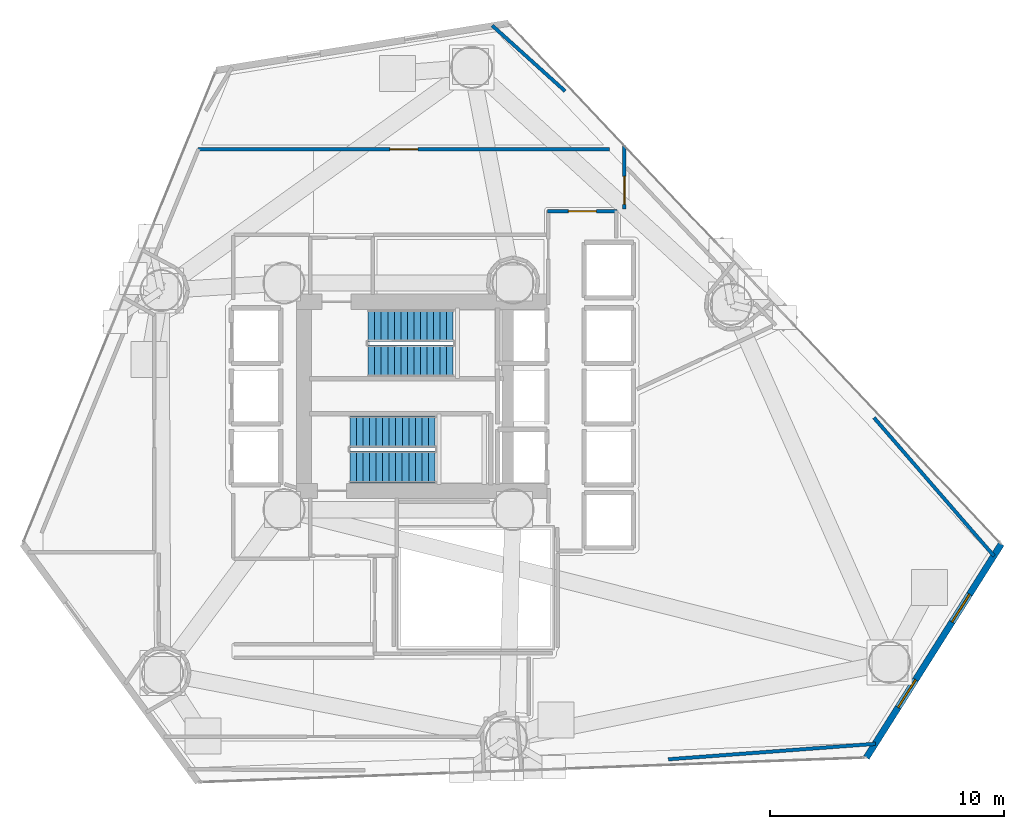
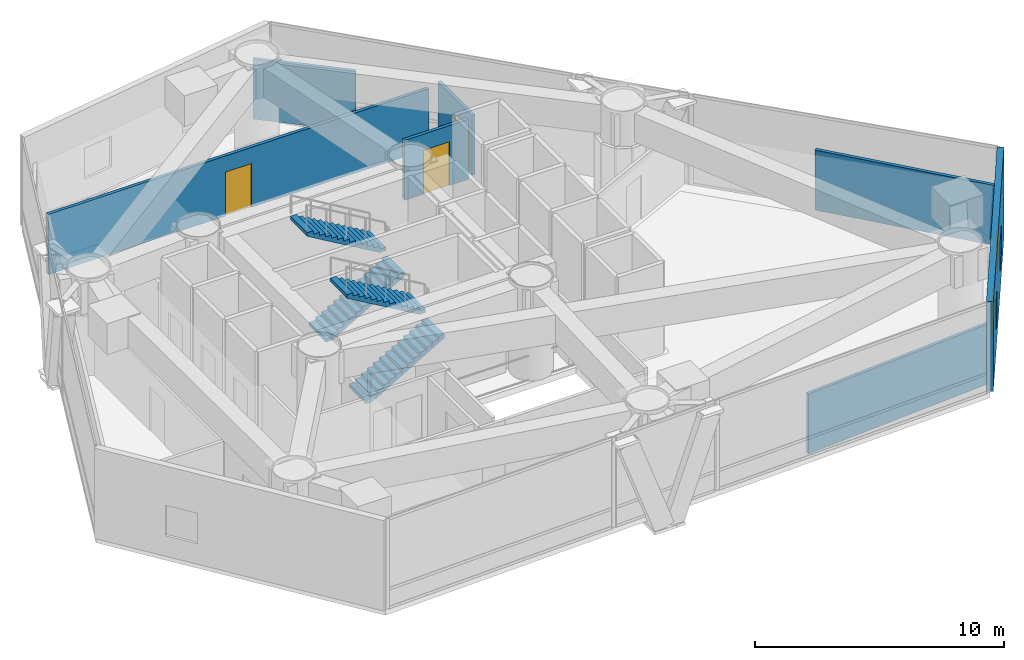
# One storey, part 19 of 22: 7 walls, 4 stair flights, 3 doors, 2 windows, 5 openings, 2 elements without a shape of their own.
"""IFC4 building model written with IfcOpenShell, lengths in metres."""

from ifc_helpers import new_model, si_unit, direction, frame, frame_2d, origin, place, context, subcontext, project, spatial, polyline, rectangle, outline, extrude, material, layer, layer_set, type_object, element, fill, aggregate, save


model = new_model("IFC4")

# Units and contexts
model_context = context("Model", 3, precision=1e-05, world=origin(), true_north=direction((0.0, 1.0)))
body_context = subcontext(model_context, "Body", "Model", "MODEL_VIEW")
ifc_project = project(units=[si_unit("LENGTHUNIT", "METRE"), si_unit("AREAUNIT", "SQUARE_METRE"), si_unit("VOLUMEUNIT", "CUBIC_METRE"), si_unit("PLANEANGLEUNIT", "RADIAN"), si_unit("MASSUNIT", "GRAM", prefix="KILO")], contexts=[model_context])

# Site, building, storey
site_placement = place(None, origin())
site = spatial("IfcSite", under=ifc_project, at=site_placement, CompositionType="ELEMENT")
building_placement = place(site_placement, origin())
building = spatial("IfcBuilding", under=site, at=building_placement, Name="Qianvela Tower", CompositionType="ELEMENT")
storey_placement = place(building_placement, frame((0.0, 0.0, 47.89990234375)))
storey = spatial("IfcBuildingStorey", under=building, at=storey_placement, Name="L11", CompositionType="ELEMENT", Elevation=47.89990234375)

# Wall, openings, windows
ifc_material_1 = material(Name="Terracotta Cladding on Concrete C40", Category="masonry")
ifc_layer_1 = layer(ifc_material_1, 0.280029296875)
ifc_layer_set_1 = layer_set([ifc_layer_1], Name="Terracotta Cladding on Concrete C40")
wall_type_1 = type_object("IfcWallType", Name="TERRACOTTA-WALL-280", PredefinedType="SOLIDWALL", material=ifc_layer_set_1)
wall_1_placement = place(storey_placement, frame((53.524658203125, 13.2392578125, 0.0), z_axis=(0.0, 0.0, 1.0), x_axis=(0.533819575833, 0.84559840377, 0.0)))
wall_1 = element("IfcWall", 1, at=wall_1_placement, inside=storey, type_object=wall_type_1, Name="L11 Terracotta Chamfer Facet Wall 1", PredefinedType="SOLIDWALL", context=body_context, shape_type="SweptSolid", body=[
    extrude(rectangle(XDim=10.80615234375, YDim=0.280029296875, at=frame_2d((5.403076171875, 0.0))), origin(), (0.0, 0.0, 1.0), 4.420166015625),
])
opening_1_placement = place(wall_1_placement, frame((2.5419921875, 0.0, 1.0)))
opening_1 = element("IfcOpeningElement", 2, at=opening_1_placement, cuts=wall_1, Name="Opening W-06", PredefinedType="OPENING", context=body_context, shape_type="SweptSolid", body=[
    extrude(rectangle(XDim=1.39990234375, YDim=1.5, at=frame_2d((0.699951171875, 0.75))), frame((0.0, 0.14990234375, 0.0), z_axis=(0.0, -1.0, 0.0), x_axis=(1.0, 0.0, 0.0)), (0.0, 0.0, 1.0), 0.300048828125),
])
opening_2_placement = place(wall_1_placement, frame((6.864501953125, 0.0, 1.0)))
opening_2 = element("IfcOpeningElement", 3, at=opening_2_placement, cuts=wall_1, Name="Opening W-06", PredefinedType="OPENING", context=body_context, shape_type="SweptSolid", body=[
    extrude(rectangle(XDim=1.39990234375, YDim=1.5, at=frame_2d((0.699951171875, 0.75))), frame((0.0, 0.14990234375, 0.0), z_axis=(0.0, -1.0, 0.0), x_axis=(1.0, 0.0, 0.0)), (0.0, 0.0, 1.0), 0.300048828125),
])
ifc_material_2 = material(Name="Thermally Broken Aluminium and Low-E Glass", Category="aluminium")
window_type = type_object("IfcWindowType", Name="WIN-REF-1400x1500", PartitioningType="SINGLE_PANEL", PredefinedType="WINDOW", material=ifc_material_2)
window_1_placement = place(opening_1_placement, origin())
window_1 = element("IfcWindow", 4, at=window_1_placement, inside=storey, type_object=window_type, Name="L11 Chamfer Facet Window 1.1", OverallHeight=1.5, OverallWidth=1.39990234375, PartitioningType="SINGLE_PANEL", PredefinedType="WINDOW", context=body_context, shape_type="SweptSolid", body=[
    extrude(rectangle(XDim=1.39990234375, YDim=1.5, at=frame_2d((0.699951171875, 0.75))), frame((0.0, 0.030029296875, 0.0), z_axis=(0.0, -1.0, 0.0), x_axis=(1.0, 0.0, 0.0)), (0.0, 0.0, 1.0), 0.06005859375),
])
fill(opening_1, window_1)
window_2_placement = place(opening_2_placement, origin())
window_2 = element("IfcWindow", 5, at=window_2_placement, inside=storey, type_object=window_type, Name="L11 Chamfer Facet Window 1.2", OverallHeight=1.5, OverallWidth=1.39990234375, PartitioningType="SINGLE_PANEL", PredefinedType="WINDOW", context=body_context, shape_type="SweptSolid", body=[
    extrude(rectangle(XDim=1.39990234375, YDim=1.5, at=frame_2d((0.699951171875, 0.75))), frame((0.0, 0.030029296875, 0.0), z_axis=(0.0, -1.0, 0.0), x_axis=(1.0, 0.0, 0.0)), (0.0, 0.0, 1.0), 0.06005859375),
])
fill(opening_2, window_2)

# Wall, opening, door
ifc_material_3 = material(Name="Fire-Rated Acoustic Gypsum Board")
ifc_layer_2 = layer(ifc_material_3, 0.14990234375)
ifc_layer_set_2 = layer_set([ifc_layer_2], Name="Fire-Rated Acoustic Gypsum Board")
wall_type_2 = type_object("IfcWallType", Name="WT-CORR-150", PredefinedType="PARTITIONING", material=ifc_layer_set_2)
wall_2_placement = place(storey_placement, frame((39.8798828125, 36.618896484375, 0.0), z_axis=(0.0, 0.0, 1.0), x_axis=(1.0, 0.0, 0.0)))
wall_2 = element("IfcWall", 6, at=wall_2_placement, inside=storey, type_object=wall_type_2, Name="L11 Partition 11", PredefinedType="PARTITIONING", context=body_context, shape_type="SweptSolid", body=[
    extrude(rectangle(XDim=2.97021484375, YDim=0.14990234375, at=frame_2d((1.485107421875, 0.0))), origin(), (0.0, 0.0, 1.0), 2.940185546875),
])
opening_3_placement = place(wall_2_placement, frame((0.885009765625, 0.0, 0.0)))
opening_3 = element("IfcOpeningElement", 7, at=opening_3_placement, cuts=wall_2, Name="Opening D-LB1", PredefinedType="OPENING", context=body_context, shape_type="SweptSolid", body=[
    extrude(rectangle(XDim=1.199951171875, YDim=2.14990234375, at=frame_2d((0.60009765625, 1.074951171875))), frame((0.0, 0.0849609375, 0.0), z_axis=(0.0, -1.0, 0.0), x_axis=(1.0, 0.0, 0.0)), (0.0, 0.0, 1.0), 0.169921875),
])
ifc_material_4 = material(Name="Glazed Fire-Rated Steel Frame", Category="steel")
door_type = type_object("IfcDoorType", Name="DT-LOBBY-FD90", OperationType="NOTDEFINED", PredefinedType="DOOR", material=ifc_material_4)
door_1_placement = place(opening_3_placement, origin())
door_1 = element("IfcDoor", 8, at=door_1_placement, inside=storey, type_object=door_type, Name="L11 Door L11 Lift Lobby to L11 Mechanical Plant Corridor", OperationType="SINGLE_SWING_LEFT", OverallHeight=2.14990234375, OverallWidth=1.199951171875, PredefinedType="DOOR", context=body_context, shape_type="SweptSolid", body=[
    extrude(rectangle(XDim=1.199951171875, YDim=2.14990234375, at=frame_2d((0.60009765625, 1.074951171875))), frame((0.0, 0.02490234375, 0.0), z_axis=(0.0, -1.0, 0.0), x_axis=(1.0, 0.0, 0.0)), (0.0, 0.0, 1.0), 0.050048828125),
])
fill(opening_3, door_1)

wall_3_placement = place(storey_placement, frame((24.92041015625, 39.26904296875, 0.0), z_axis=(0.0, 0.0, 1.0), x_axis=(1.0, 0.0, 0.0)))
wall_3 = element("IfcWall", 9, at=wall_3_placement, inside=storey, type_object=wall_type_2, Name="L11 Partition 44", PredefinedType="PARTITIONING", context=body_context, shape_type="SweptSolid", body=[
    extrude(rectangle(XDim=17.615478515625, YDim=0.14990234375, at=frame_2d((8.8076171875, 0.0))), origin(), (0.0, 0.0, 1.0), 2.940185546875),
])
opening_4_placement = place(wall_3_placement, frame((8.207763671875, 0.0, 0.0)))
opening_4 = element("IfcOpeningElement", 10, at=opening_4_placement, cuts=wall_3, Name="Opening D-LB1", PredefinedType="OPENING", context=body_context, shape_type="SweptSolid", body=[
    extrude(rectangle(XDim=1.199951171875, YDim=2.14990234375, at=frame_2d((0.60009765625, 1.074951171875))), frame((0.0, 0.0849609375, 0.0), z_axis=(0.0, -1.0, 0.0), x_axis=(1.0, 0.0, 0.0)), (0.0, 0.0, 1.0), 0.169921875),
])
door_2_placement = place(opening_4_placement, origin())
door_2 = element("IfcDoor", 11, at=door_2_placement, inside=storey, type_object=door_type, Name="L11 Door L11 Fire Refuge Area 5 to L11 Mechanical Plant Corridor", OperationType="SINGLE_SWING_LEFT", OverallHeight=2.14990234375, OverallWidth=1.199951171875, PredefinedType="DOOR", context=body_context, shape_type="SweptSolid", body=[
    extrude(rectangle(XDim=1.199951171875, YDim=2.14990234375, at=frame_2d((0.60009765625, 1.074951171875))), frame((0.0, 0.02490234375, 0.0), z_axis=(0.0, -1.0, 0.0), x_axis=(1.0, 0.0, 0.0)), (0.0, 0.0, 1.0), 0.050048828125),
])
fill(opening_4, door_2)

wall_4_placement = place(storey_placement, frame((43.1689453125, 39.44384765625, 0.0), z_axis=(0.0, 0.0, 1.0), x_axis=(0.0, -1.0, 0.0)))
wall_4 = element("IfcWall", 12, at=wall_4_placement, inside=storey, type_object=wall_type_2, Name="L11 Partition 46", PredefinedType="PARTITIONING", context=body_context, shape_type="SweptSolid", body=[
    extrude(rectangle(XDim=2.73193359375, YDim=0.14990234375, at=frame_2d((1.365966796875, 0.0))), origin(), (0.0, 0.0, 1.0), 2.940185546875),
])
opening_5_placement = place(wall_4_placement, frame((1.325927734375, 0.0, 0.0)))
opening_5 = element("IfcOpeningElement", 13, at=opening_5_placement, cuts=wall_4, Name="Opening D-LB1", PredefinedType="OPENING", context=body_context, shape_type="SweptSolid", body=[
    extrude(rectangle(XDim=1.199951171875, YDim=2.14990234375, at=frame_2d((0.60009765625, 1.074951171875))), frame((0.0, 0.0849609375, 0.0), z_axis=(0.0, -1.0, 0.0), x_axis=(1.0, 0.0, 0.0)), (0.0, 0.0, 1.0), 0.169921875),
])
door_3_placement = place(opening_5_placement, origin())
door_3 = element("IfcDoor", 14, at=door_3_placement, inside=storey, type_object=door_type, Name="L11 Door L11 Fire Refuge Area 4 to L11 Mechanical Plant Corridor", OperationType="SINGLE_SWING_RIGHT", OverallHeight=2.14990234375, OverallWidth=1.199951171875, PredefinedType="DOOR", context=body_context, shape_type="SweptSolid", body=[
    extrude(rectangle(XDim=1.199951171875, YDim=2.14990234375, at=frame_2d((0.60009765625, 1.074951171875))), frame((0.0, 0.02490234375, 0.0), z_axis=(0.0, -1.0, 0.0), x_axis=(1.0, 0.0, 0.0)), (0.0, 0.0, 1.0), 0.050048828125),
])
fill(opening_5, door_3)

# Walls
wall_5_placement = place(storey_placement, frame((37.508056640625, 44.5703125, 0.0), z_axis=(0.0, 0.0, 1.0), x_axis=(0.743120643554, -0.66915746213, 0.0)))
element("IfcWall", 15, at=wall_5_placement, inside=storey, type_object=wall_type_2, Name="L11 Partition 99 seg 1", PredefinedType="PARTITIONING", context=body_context, shape_type="SweptSolid", body=[
    extrude(rectangle(XDim=4.19873046875, YDim=0.14990234375, at=frame_2d((2.099365234375, 0.0))), origin(), (0.0, 0.0, 1.0), 2.940185546875),
])
wall_6_placement = place(storey_placement, frame((53.845947265625, 27.78662109375, 0.0), z_axis=(0.0, 0.0, 1.0), x_axis=(0.655442058085, -0.755245462411, 0.0)))
element("IfcWall", 16, at=wall_6_placement, inside=storey, type_object=wall_type_2, Name="L11 Partition 119 seg 2", PredefinedType="PARTITIONING", context=body_context, shape_type="SweptSolid", body=[
    extrude(rectangle(XDim=7.847412109375, YDim=0.14990234375, at=frame_2d((3.923828125, 0.0))), origin(), (0.0, 0.0, 1.0), 2.940185546875),
])
wall_7_placement = place(storey_placement, frame((53.917236328125, 13.830078125, 0.0), z_axis=(0.0, 0.0, 1.0), x_axis=(-0.997215248763, -0.074577125416, 0.0)))
element("IfcWall", 17, at=wall_7_placement, inside=storey, type_object=wall_type_2, Name="L11 Partition 121 seg 1", PredefinedType="PARTITIONING", context=body_context, shape_type="SweptSolid", body=[
    extrude(rectangle(XDim=8.897705078125, YDim=0.14990234375, at=frame_2d((4.44873046875, 0.0))), origin(), (0.0, 0.0, 1.0), 2.940185546875),
])

# Stair, stair flights
ifc_material_5 = material(Name="Concrete C40", Category="concrete")
stair_type = type_object("IfcStairType", Name="ST-DOGLEG-1350-R164-N28", PredefinedType="HALF_TURN_STAIR", material=ifc_material_5)
stair_1_placement = place(storey_placement, origin())
stair_1 = element("IfcStair", 18, at=stair_1_placement, inside=storey, type_object=stair_type, Name="L11 Smoke-Proof Core Stair ST-1", PredefinedType="HALF_TURN_STAIR")
ifc_material_6 = material(Name="Concrete C40", Category="concrete")
stair_flight_type = type_object("IfcStairFlightType", Name="STF-STRAIGHT-R164-P14", PredefinedType="STRAIGHT", material=ifc_material_6)
stair_flight_1_placement = place(storey_placement, frame((32.199951171875, 30.215087890625, 0.0), z_axis=(0.0, 0.0, 1.0), x_axis=(1.0, 0.0, 0.0)))
stair_flight_1 = element("IfcStairFlight", 19, at=stair_flight_1_placement, type_object=stair_flight_type, Name="ST-1 flight 1", NumberOfRisers=14, NumberOfTreads=13, PredefinedType="STRAIGHT", RiserHeight=0.164285714, TreadLength=0.28, context=body_context, shape_type="SweptSolid", body=[
    extrude(outline(polyline([(0.0, 0.0), (0.0, 0.164306640625), (0.280029296875, 0.164306640625), (0.280029296875, 0.32861328125), (0.56005859375, 0.32861328125), (0.56005859375, 0.492919921875), (0.840087890625, 0.492919921875), (0.840087890625, 0.6572265625), (1.1201171875, 0.6572265625), (1.1201171875, 0.821533203125), (1.39990234375, 0.821533203125), (1.39990234375, 0.985595703125), (1.679931640625, 0.985595703125), (1.679931640625, 1.14990234375), (1.9599609375, 1.14990234375), (1.9599609375, 1.314208984375), (2.239990234375, 1.314208984375), (2.239990234375, 1.478515625), (2.52001953125, 1.478515625), (2.52001953125, 1.642822265625), (2.800048828125, 1.642822265625), (2.800048828125, 1.80712890625), (3.080078125, 1.80712890625), (3.080078125, 1.971435546875), (3.360107421875, 1.971435546875), (3.360107421875, 2.1357421875), (3.639892578125, 2.1357421875), (3.639892578125, 2.300048828125), (3.639892578125, 1.9619140625), (0.296142578125, 0.0), (0.0, 0.0)])), frame((0.0, 0.675048828125, 0.0), z_axis=(0.0, -1.0, 0.0), x_axis=(1.0, 0.0, 0.0)), (0.0, 0.0, 1.0), 1.35009765625),
])
stair_flight_2_placement = place(storey_placement, frame((35.840087890625, 31.72509765625, 2.300048828125), z_axis=(0.0, 0.0, 1.0), x_axis=(-1.0, 0.0, 0.0)))
stair_flight_2 = element("IfcStairFlight", 20, at=stair_flight_2_placement, type_object=stair_flight_type, Name="ST-1 flight 2", NumberOfRisers=14, NumberOfTreads=13, PredefinedType="STRAIGHT", RiserHeight=0.164285714, TreadLength=0.28, context=body_context, shape_type="SweptSolid", body=[
    extrude(outline(polyline([(0.0, 0.0), (0.0, 0.164306640625), (0.280029296875, 0.164306640625), (0.280029296875, 0.32861328125), (0.56005859375, 0.32861328125), (0.56005859375, 0.492919921875), (0.840087890625, 0.492919921875), (0.840087890625, 0.6572265625), (1.1201171875, 0.6572265625), (1.1201171875, 0.821533203125), (1.39990234375, 0.821533203125), (1.39990234375, 0.985595703125), (1.679931640625, 0.985595703125), (1.679931640625, 1.14990234375), (1.9599609375, 1.14990234375), (1.9599609375, 1.314208984375), (2.239990234375, 1.314208984375), (2.239990234375, 1.478515625), (2.52001953125, 1.478515625), (2.52001953125, 1.642822265625), (2.800048828125, 1.642822265625), (2.800048828125, 1.80712890625), (3.080078125, 1.80712890625), (3.080078125, 1.971435546875), (3.360107421875, 1.971435546875), (3.360107421875, 2.1357421875), (3.639892578125, 2.1357421875), (3.639892578125, 2.300048828125), (3.639892578125, 1.9619140625), (0.296142578125, 0.0), (0.0, 0.0)])), frame((0.0, 0.675048828125, 0.0), z_axis=(0.0, -1.0, 0.0), x_axis=(1.0, 0.0, 0.0)), (0.0, 0.0, 1.0), 1.35009765625),
])
aggregate(stair_1, [stair_flight_1, stair_flight_2])

stair_2_placement = place(storey_placement, origin())
stair_2 = element("IfcStair", 21, at=stair_2_placement, inside=storey, type_object=stair_type, Name="L11 Smoke-Proof Core Stair ST-2", PredefinedType="HALF_TURN_STAIR")
stair_flight_3_placement = place(storey_placement, frame((31.419921875, 25.675048828125, 0.0), z_axis=(0.0, 0.0, 1.0), x_axis=(1.0, 0.0, 0.0)))
stair_flight_3 = element("IfcStairFlight", 22, at=stair_flight_3_placement, type_object=stair_flight_type, Name="ST-2 flight 1", NumberOfRisers=14, NumberOfTreads=13, PredefinedType="STRAIGHT", RiserHeight=0.164285714, TreadLength=0.28, context=body_context, shape_type="SweptSolid", body=[
    extrude(outline(polyline([(0.0, 0.0), (0.0, 0.164306640625), (0.280029296875, 0.164306640625), (0.280029296875, 0.32861328125), (0.56005859375, 0.32861328125), (0.56005859375, 0.492919921875), (0.840087890625, 0.492919921875), (0.840087890625, 0.6572265625), (1.1201171875, 0.6572265625), (1.1201171875, 0.821533203125), (1.39990234375, 0.821533203125), (1.39990234375, 0.985595703125), (1.679931640625, 0.985595703125), (1.679931640625, 1.14990234375), (1.9599609375, 1.14990234375), (1.9599609375, 1.314208984375), (2.239990234375, 1.314208984375), (2.239990234375, 1.478515625), (2.52001953125, 1.478515625), (2.52001953125, 1.642822265625), (2.800048828125, 1.642822265625), (2.800048828125, 1.80712890625), (3.080078125, 1.80712890625), (3.080078125, 1.971435546875), (3.360107421875, 1.971435546875), (3.360107421875, 2.1357421875), (3.639892578125, 2.1357421875), (3.639892578125, 2.300048828125), (3.639892578125, 1.9619140625), (0.296142578125, 0.0), (0.0, 0.0)])), frame((0.0, 0.675048828125, 0.0), z_axis=(0.0, -1.0, 0.0), x_axis=(1.0, 0.0, 0.0)), (0.0, 0.0, 1.0), 1.35009765625),
])
stair_flight_4_placement = place(storey_placement, frame((35.06005859375, 27.18505859375, 2.300048828125), z_axis=(0.0, 0.0, 1.0), x_axis=(-1.0, 0.0, 0.0)))
stair_flight_4 = element("IfcStairFlight", 23, at=stair_flight_4_placement, type_object=stair_flight_type, Name="ST-2 flight 2", NumberOfRisers=14, NumberOfTreads=13, PredefinedType="STRAIGHT", RiserHeight=0.164285714, TreadLength=0.28, context=body_context, shape_type="SweptSolid", body=[
    extrude(outline(polyline([(0.0, 0.0), (0.0, 0.164306640625), (0.280029296875, 0.164306640625), (0.280029296875, 0.32861328125), (0.56005859375, 0.32861328125), (0.56005859375, 0.492919921875), (0.840087890625, 0.492919921875), (0.840087890625, 0.6572265625), (1.1201171875, 0.6572265625), (1.1201171875, 0.821533203125), (1.39990234375, 0.821533203125), (1.39990234375, 0.985595703125), (1.679931640625, 0.985595703125), (1.679931640625, 1.14990234375), (1.9599609375, 1.14990234375), (1.9599609375, 1.314208984375), (2.239990234375, 1.314208984375), (2.239990234375, 1.478515625), (2.52001953125, 1.478515625), (2.52001953125, 1.642822265625), (2.800048828125, 1.642822265625), (2.800048828125, 1.80712890625), (3.080078125, 1.80712890625), (3.080078125, 1.971435546875), (3.360107421875, 1.971435546875), (3.360107421875, 2.1357421875), (3.639892578125, 2.1357421875), (3.639892578125, 2.300048828125), (3.639892578125, 1.9619140625), (0.296142578125, 0.0), (0.0, 0.0)])), frame((0.0, 0.675048828125, 0.0), z_axis=(0.0, -1.0, 0.0), x_axis=(1.0, 0.0, 0.0)), (0.0, 0.0, 1.0), 1.35009765625),
])
aggregate(stair_2, [stair_flight_3, stair_flight_4])

save(model, "model.ifc")
